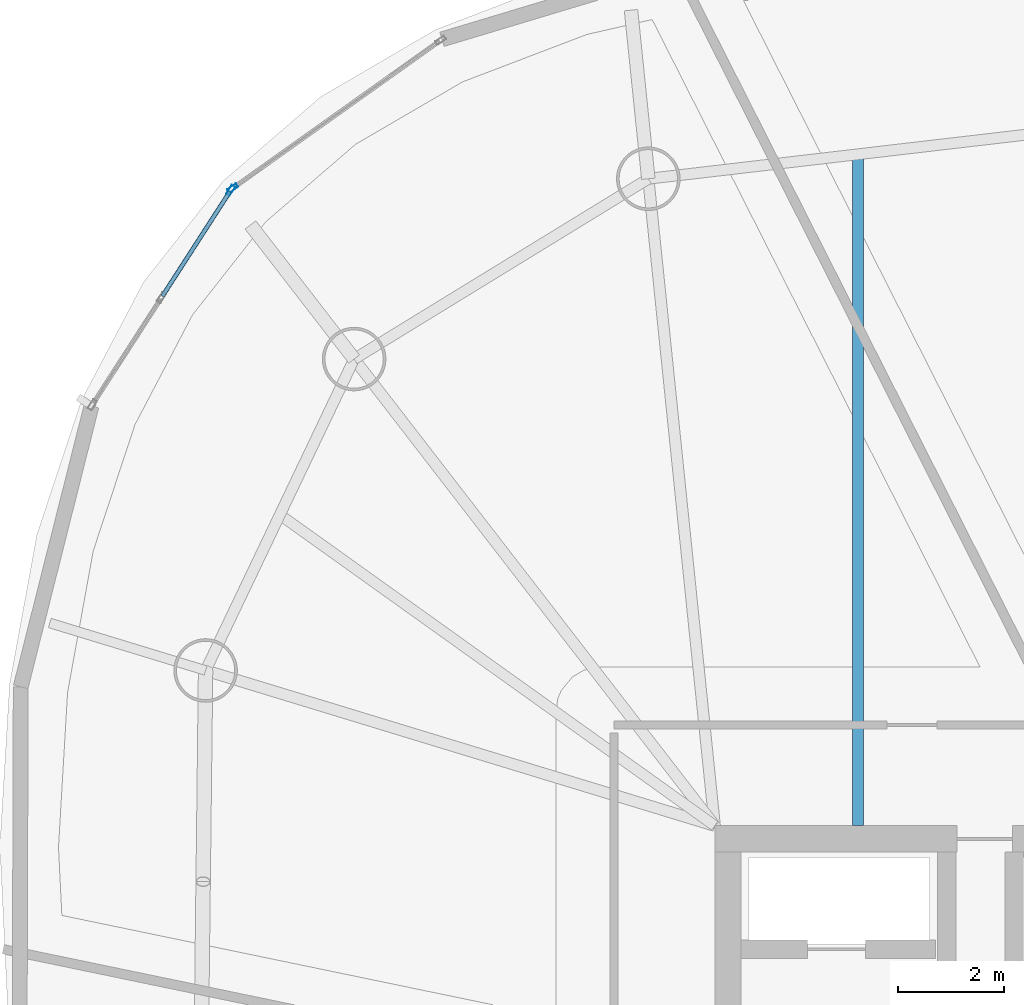
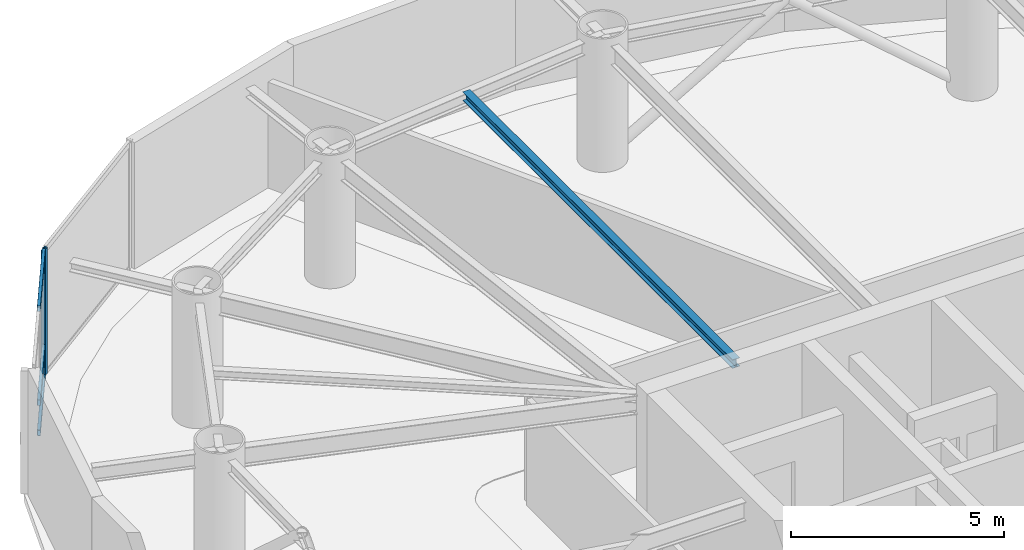
# One storey, part 8 of 18: 5 members, 1 beam, 2 elements without a shape of their own.
"""IFC4 building model written with IfcOpenShell, lengths in metres."""

from ifc_helpers import new_model, si_unit, direction, frame, origin, origin_2d, place, context, subcontext, project, spatial, hollow_rectangle, i_section, extrude, material, layer, layer_set, material_profile, profile_set, type_object, element, aggregate, save


model = new_model("IFC4")

# Units and contexts
model_context = context("Model", 3, precision=1e-05, world=origin(), true_north=direction((0.0, 1.0)))
body_context = subcontext(model_context, "Body", "Model", "MODEL_VIEW")
ifc_project = project(units=[si_unit("LENGTHUNIT", "METRE"), si_unit("AREAUNIT", "SQUARE_METRE"), si_unit("VOLUMEUNIT", "CUBIC_METRE"), si_unit("PLANEANGLEUNIT", "RADIAN"), si_unit("MASSUNIT", "GRAM", prefix="KILO")], contexts=[model_context])

# Site, building, storey
site_placement = place(None, origin())
site = spatial("IfcSite", under=ifc_project, at=site_placement, CompositionType="ELEMENT")
building_placement = place(site_placement, origin())
building = spatial("IfcBuilding", under=site, at=building_placement, Name="Bramvorn Convention Spire", CompositionType="ELEMENT")
storey_placement = place(building_placement, frame((0.0, 0.0, 205.85009765625)))
storey = spatial("IfcBuildingStorey", under=building, at=storey_placement, Name="L52", CompositionType="ELEMENT", Elevation=205.85009765625)

# Beam
ifc_material_1 = material(Name="Steel CSA G40.21 Grade 350 (350W)", Category="steel")
ifc_material_profile_1 = material_profile(ifc_material_1, i_section(OverallWidth=0.201904296875, OverallDepth=0.2470703125, WebThickness=0.00732421875, FlangeThickness=0.010986328125, FilletRadius=0.011962890625, at=origin_2d()))
ifc_profile_set_1 = profile_set([ifc_material_profile_1], Name="Steel CSA G40.21 Grade 350 (350W) - W250X49")
beam_type = type_object("IfcBeamType", Name="BM-W250X49", PredefinedType="JOIST", material=ifc_profile_set_1)
beam_placement = place(storey_placement, frame((29.455810546875, 33.449951171875, 3.496337890625), z_axis=(0.0, 1.0, 0.0), x_axis=(-1.0, 0.0, 0.0)))
element("IfcBeam", 1, at=beam_placement, inside=storey, type_object=beam_type, Name="L52 composite floor joist 07", PredefinedType="JOIST", context=body_context, shape_type="SweptSolid", body=[
    extrude(i_section(OverallWidth=0.201904296875, OverallDepth=0.2470703125, WebThickness=0.00732421875, FlangeThickness=0.010986328125, FilletRadius=0.011962890625, at=origin_2d()), origin(), (0.0, 0.0, 1.0), 12.676025390625),
])

# Curtain wall, member
ifc_material_2 = material(Name="Anodised Bronze Unitised Curtain Wall", Category="aluminium")
ifc_layer = layer(ifc_material_2, 0.179931640625)
ifc_layer_set = layer_set([ifc_layer], Name="Anodised Bronze Unitised Curtain Wall - CW-OFF-FRIT")
curtain_wall_type = type_object("IfcCurtainWallType", Name="CW-OFF-FRIT", PredefinedType="USERDEFINED", material=ifc_layer_set)
curtain_wall_1_placement = place(storey_placement, origin())
curtain_wall_1 = element("IfcCurtainWall", 2, at=curtain_wall_1_placement, inside=storey, type_object=curtain_wall_type, Name="L52 fritted glass curtain wall 12", ObjectType="UNITISED CURTAIN WALL", PredefinedType="USERDEFINED")
ifc_material_3 = material(Name="Anodised Bronze Aluminium 6063-T6", Category="aluminium")
ifc_material_profile_2 = material_profile(ifc_material_3, hollow_rectangle(XDim=0.080078125, YDim=0.199951171875, WallThickness=0.00390625, InnerFilletRadius=0.0009765625, OuterFilletRadius=0.00390625, at=origin_2d()))
ifc_profile_set_2 = profile_set([ifc_material_profile_2], Name="Anodised Bronze Aluminium 6063-T6 - CWM80X200")
member_type_1 = type_object("IfcMemberType", Name="CW-MUL-180", PredefinedType="MULLION", material=ifc_profile_set_2)
member_1_placement = place(storey_placement, frame((17.651123046875, 45.486572265625, 0.0), z_axis=(0.0, 0.0, 1.0), x_axis=(-0.579743501589, 0.814799038024, 0.0)))
member_1 = element("IfcMember", 3, at=member_1_placement, type_object=member_type_1, Name="CW3 mullion 1", PredefinedType="MULLION", context=body_context, shape_type="SweptSolid", body=[
    extrude(hollow_rectangle(XDim=0.080078125, YDim=0.199951171875, WallThickness=0.00390625, InnerFilletRadius=0.0009765625, OuterFilletRadius=0.00390625, at=origin_2d()), origin(), (0.0, 0.0, 1.0), 3.619873046875),
])
aggregate(curtain_wall_1, [member_1])

# Curtain wall, members
curtain_wall_2_placement = place(storey_placement, origin())
curtain_wall_2 = element("IfcCurtainWall", 4, at=curtain_wall_2_placement, inside=storey, type_object=curtain_wall_type, Name="L52 fritted glass curtain wall 13", ObjectType="UNITISED CURTAIN WALL", PredefinedType="USERDEFINED")
member_2_placement = place(storey_placement, frame((17.610595703125, 45.44384765625, 0.0), z_axis=(0.0, 0.0, 1.0), x_axis=(-0.840257771478, 0.542187124036, 0.0)))
member_2 = element("IfcMember", 5, at=member_2_placement, type_object=member_type_1, Name="CW3 mullion 3", PredefinedType="MULLION", context=body_context, shape_type="SweptSolid", body=[
    extrude(hollow_rectangle(XDim=0.080078125, YDim=0.199951171875, WallThickness=0.00390625, InnerFilletRadius=0.0009765625, OuterFilletRadius=0.00390625, at=origin_2d()), origin(), (0.0, 0.0, 1.0), 3.619873046875),
])
ifc_material_profile_3 = material_profile(ifc_material_3, hollow_rectangle(XDim=0.080078125, YDim=0.159912109375, WallThickness=0.00390625, InnerFilletRadius=0.0009765625, OuterFilletRadius=0.00390625, at=origin_2d()))
ifc_profile_set_3 = profile_set([ifc_material_profile_3], Name="Anodised Bronze Aluminium 6063-T6 - CWT80X160")
member_type_2 = type_object("IfcMemberType", Name="CW-TRN-150", PredefinedType="USERDEFINED", material=ifc_profile_set_3)
member_3_placement = place(storey_placement, frame((16.321044921875, 43.445556640625, 0.02978515625), z_axis=(0.542186070646, 0.840258451191, 0.0), x_axis=(-0.840258451191, 0.542186070646, 0.0)))
member_3 = element("IfcMember", 6, at=member_3_placement, type_object=member_type_2, Name="CW3 transom 2.1", ObjectType="TRANSOM", PredefinedType="USERDEFINED", context=body_context, shape_type="SweptSolid", body=[
    extrude(hollow_rectangle(XDim=0.080078125, YDim=0.159912109375, WallThickness=0.00390625, InnerFilletRadius=0.0009765625, OuterFilletRadius=0.00390625, at=origin_2d()), origin(), (0.0, 0.0, 1.0), 2.34814453125),
])
member_4_placement = place(storey_placement, frame((16.321044921875, 43.445556640625, 0.89990234375), z_axis=(0.542186070646, 0.840258451191, 0.0), x_axis=(-0.840258451191, 0.542186070646, 0.0)))
member_4 = element("IfcMember", 7, at=member_4_placement, type_object=member_type_2, Name="CW3 transom 2.2", ObjectType="TRANSOM", PredefinedType="USERDEFINED", context=body_context, shape_type="SweptSolid", body=[
    extrude(hollow_rectangle(XDim=0.080078125, YDim=0.159912109375, WallThickness=0.00390625, InnerFilletRadius=0.0009765625, OuterFilletRadius=0.00390625, at=origin_2d()), origin(), (0.0, 0.0, 1.0), 2.34814453125),
])
member_5_placement = place(storey_placement, frame((16.321044921875, 43.445556640625, 3.58984375), z_axis=(0.542186070646, 0.840258451191, 0.0), x_axis=(-0.840258451191, 0.542186070646, 0.0)))
member_5 = element("IfcMember", 8, at=member_5_placement, type_object=member_type_2, Name="CW3 transom 2.3", ObjectType="TRANSOM", PredefinedType="USERDEFINED", context=body_context, shape_type="SweptSolid", body=[
    extrude(hollow_rectangle(XDim=0.080078125, YDim=0.159912109375, WallThickness=0.00390625, InnerFilletRadius=0.0009765625, OuterFilletRadius=0.00390625, at=origin_2d()), origin(), (0.0, 0.0, 1.0), 2.34814453125),
])
aggregate(curtain_wall_2, [member_2, member_3, member_4, member_5])

save(model, "model.ifc")
